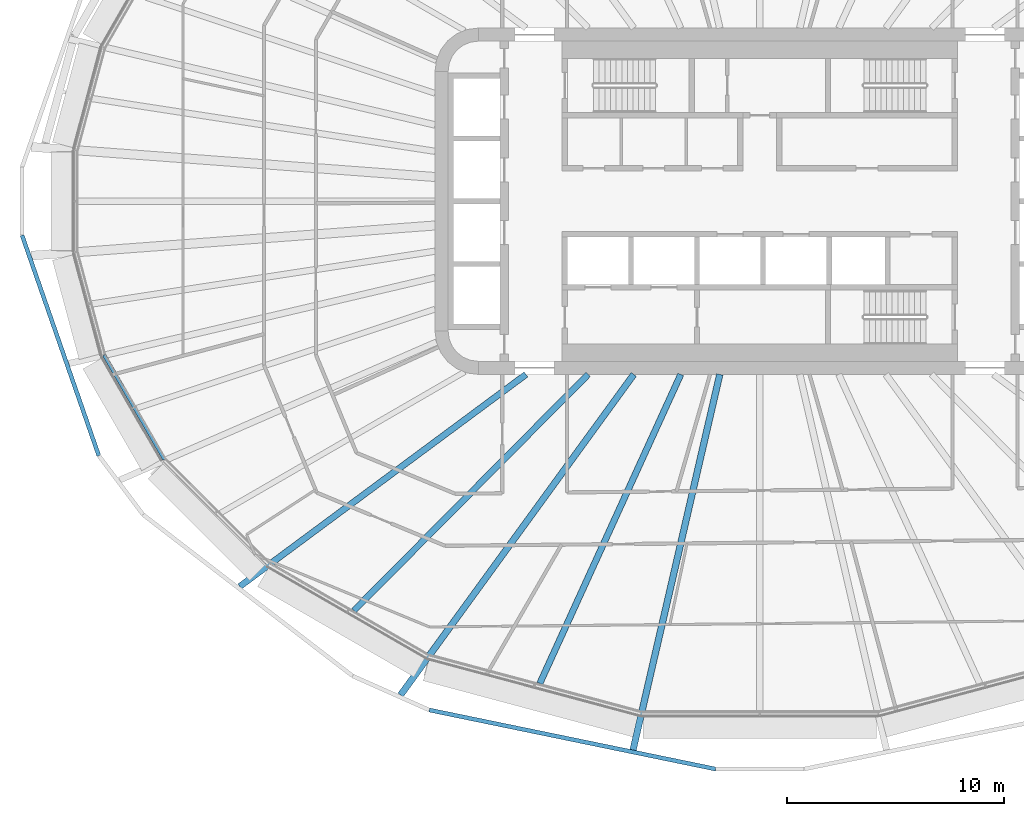
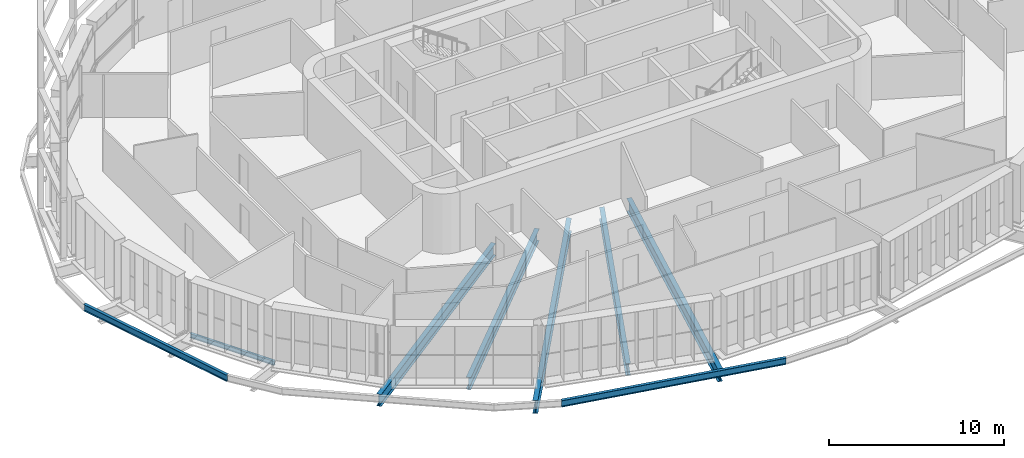
# One storey, part 2 of 26: 8 beams.
"""IFC4 building model written with IfcOpenShell, lengths in metres."""

from ifc_helpers import new_model, si_unit, direction, frame, origin, origin_2d, place, context, subcontext, project, spatial, i_section, extrude, material, material_profile, profile_set, type_object, element, save


model = new_model("IFC4")

# Units and contexts
model_context = context("Model", 3, precision=1e-05, world=origin(), true_north=direction((0.0, 1.0)))
body_context = subcontext(model_context, "Body", "Model", "MODEL_VIEW")
ifc_project = project(units=[si_unit("LENGTHUNIT", "METRE"), si_unit("AREAUNIT", "SQUARE_METRE"), si_unit("VOLUMEUNIT", "CUBIC_METRE"), si_unit("PLANEANGLEUNIT", "RADIAN"), si_unit("MASSUNIT", "GRAM", prefix="KILO")], contexts=[model_context])

# Site, building, storey
site_placement = place(None, origin())
site = spatial("IfcSite", under=ifc_project, at=site_placement, CompositionType="ELEMENT")
building_placement = place(site_placement, origin())
building = spatial("IfcBuilding", under=site, at=building_placement, Name="Sahrelin Media Tower", CompositionType="ELEMENT")
storey_placement = place(building_placement, frame((0.0, 0.0, 84.0)))
storey = spatial("IfcBuildingStorey", under=building, at=storey_placement, Name="L15", CompositionType="ELEMENT", Elevation=84.0)

# Beams
ifc_material = material(Name="Steel S355", Category="steel")
ifc_material_profile_1 = material_profile(ifc_material, i_section(OverallWidth=0.1650390625, OverallDepth=0.303466796875, WebThickness=0.006103515625, FlangeThickness=0.01025390625, FilletRadius=0.0087890625, at=origin_2d()), Name="UB 305x165x40")
ifc_profile_set_1 = profile_set([ifc_material_profile_1], Name="Steel S355")
beam_type_1 = type_object("IfcBeamType", Name="Edge beam EB2", PredefinedType="BEAM", material=ifc_profile_set_1)
beam_1_placement = place(storey_placement, frame((-27.500244140625, -11.923095703125, -0.3017578125), z_axis=(-0.499998387408, 0.866026334813, 0.0), x_axis=(-0.866026334813, -0.499998387408, 0.0)))
element("IfcBeam", 1, at=beam_1_placement, inside=storey, type_object=beam_type_1, Name="Edge beam L15-11", PredefinedType="BEAM", context=body_context, shape_type="SweptSolid", body=[
    extrude(i_section(OverallWidth=0.1650390625, OverallDepth=0.303466796875, WebThickness=0.006103515625, FlangeThickness=0.01025390625, FilletRadius=0.0087890625, at=origin_2d()), origin(), (0.0, 0.0, 1.0), 5.5654296875),
])
ifc_material_profile_2 = material_profile(ifc_material, i_section(OverallWidth=0.291748046875, OverallDepth=0.8349609375, WebThickness=0.013916015625, FlangeThickness=0.018798828125, FilletRadius=0.017822265625, at=origin_2d()), Name="UB 838x292x176")
ifc_profile_set_2 = profile_set([ifc_material_profile_2], Name="Steel S355")
beam_type_2 = type_object("IfcBeamType", Name="Radial primary beam PB10", PredefinedType="BEAM", material=ifc_profile_set_2)
beam_2_placement = place(storey_placement, frame((-10.798828125, -8.0, -0.5673828125), z_axis=(-0.803534849175, -0.595257714071, 0.0), x_axis=(0.595257714071, -0.803534849175, 0.0)))
element("IfcBeam", 2, at=beam_2_placement, inside=storey, type_object=beam_type_2, Name="Radial beam L15-16", PredefinedType="BEAM", context=body_context, shape_type="SweptSolid", body=[
    extrude(i_section(OverallWidth=0.291748046875, OverallDepth=0.8349609375, WebThickness=0.013916015625, FlangeThickness=0.018798828125, FilletRadius=0.017822265625, at=origin_2d()), origin(), (0.0, 0.0, 1.0), 16.452880859375),
])
ifc_material_profile_3 = material_profile(ifc_material, i_section(OverallWidth=0.30322265625, OverallDepth=0.903076171875, WebThickness=0.01513671875, FlangeThickness=0.020263671875, FilletRadius=0.01904296875, at=origin_2d()), Name="UB 914x305x201")
ifc_profile_set_3 = profile_set([ifc_material_profile_3], Name="Steel S355")
beam_type_3 = type_object("IfcBeamType", Name="Radial primary beam PB11", PredefinedType="BEAM", material=ifc_profile_set_3)
beam_3_placement = place(storey_placement, frame((-5.8203125, -8.0, -0.6015625), z_axis=(-0.588305671359, -0.808638631928, 0.0), x_axis=(0.808638631928, -0.588305671359, 0.0)))
element("IfcBeam", 3, at=beam_3_placement, inside=storey, type_object=beam_type_3, Name="Radial beam L15-17", PredefinedType="BEAM", context=body_context, shape_type="SweptSolid", body=[
    extrude(i_section(OverallWidth=0.30322265625, OverallDepth=0.903076171875, WebThickness=0.01513671875, FlangeThickness=0.020263671875, FilletRadius=0.01904296875, at=origin_2d()), origin(), (0.0, 0.0, 1.0), 18.310546875),
])
beam_4_placement = place(storey_placement, frame((-1.847900390625, -8.0, -0.6015625), z_axis=(-0.225036807982, -0.974350263023, 0.0), x_axis=(0.974350263023, -0.225036807982, 0.0)))
element("IfcBeam", 4, at=beam_4_placement, inside=storey, type_object=beam_type_3, Name="Radial beam L15-18", PredefinedType="BEAM", context=body_context, shape_type="SweptSolid", body=[
    extrude(i_section(OverallWidth=0.30322265625, OverallDepth=0.903076171875, WebThickness=0.01513671875, FlangeThickness=0.020263671875, FilletRadius=0.01904296875, at=origin_2d()), origin(), (0.0, 0.0, 1.0), 17.7998046875),
])
ifc_material_profile_4 = material_profile(ifc_material, i_section(OverallWidth=0.291748046875, OverallDepth=0.8349609375, WebThickness=0.013916015625, FlangeThickness=0.018798828125, FilletRadius=0.017822265625, at=origin_2d()), Name="UB 838x292x176")
ifc_profile_set_4 = profile_set([ifc_material_profile_4], Name="Steel S355")
beam_type_4 = type_object("IfcBeamType", Name="Radial secondary beam SB10", PredefinedType="BEAM", material=ifc_profile_set_4)
beam_5_placement = place(storey_placement, frame((-7.93115234375, -8.0, -0.5673828125), z_axis=(-0.704056941584, -0.710143522823, 0.0), x_axis=(0.710143522823, -0.704056941584, 0.0)))
element("IfcBeam", 5, at=beam_5_placement, inside=storey, type_object=beam_type_4, Name="Secondary beam L15-16", PredefinedType="BEAM", context=body_context, shape_type="SweptSolid", body=[
    extrude(i_section(OverallWidth=0.291748046875, OverallDepth=0.8349609375, WebThickness=0.013916015625, FlangeThickness=0.018798828125, FilletRadius=0.017822265625, at=origin_2d()), origin(), (0.0, 0.0, 1.0), 15.362548828125),
])
beam_6_placement = place(storey_placement, frame((-3.6494140625, -8.0, -0.5673828125), z_axis=(-0.415038402282, -0.909803893502, 0.0), x_axis=(0.909803893502, -0.415038402282, 0.0)))
element("IfcBeam", 6, at=beam_6_placement, inside=storey, type_object=beam_type_4, Name="Secondary beam L15-17", PredefinedType="BEAM", context=body_context, shape_type="SweptSolid", body=[
    extrude(i_section(OverallWidth=0.291748046875, OverallDepth=0.8349609375, WebThickness=0.013916015625, FlangeThickness=0.018798828125, FilletRadius=0.017822265625, at=origin_2d()), origin(), (0.0, 0.0, 1.0), 15.687744140625),
])
ifc_material_profile_5 = material_profile(ifc_material, i_section(OverallWidth=0.1904296875, OverallDepth=0.45703125, WebThickness=0.009033203125, FlangeThickness=0.014404296875, FilletRadius=0.01025390625, at=origin_2d()), Name="UB 457x191x74")
ifc_profile_set_5 = profile_set([ifc_material_profile_5], Name="Steel S355")
beam_type_5 = type_object("IfcBeamType", Name="Tie chord TC5", PredefinedType="BEAM", material=ifc_profile_set_5)
beam_7_placement = place(storey_placement, frame((-34.074462890625, -1.5703125, -0.37841796875), z_axis=(0.328779674512, -0.944406652681, 0.0), x_axis=(0.944406652681, 0.328779674512, 0.0)))
element("IfcBeam", 7, at=beam_7_placement, inside=storey, type_object=beam_type_5, Name="Tie chord L15-13", PredefinedType="BEAM", context=body_context, shape_type="SweptSolid", body=[
    extrude(i_section(OverallWidth=0.1904296875, OverallDepth=0.45703125, WebThickness=0.009033203125, FlangeThickness=0.014404296875, FilletRadius=0.01025390625, at=origin_2d()), origin(), (0.0, 0.0, 1.0), 10.78271484375),
])
beam_8_placement = place(storey_placement, frame((-15.2705078125, -23.498291015625, -0.37841796875), z_axis=(0.97938622265, -0.201996601169, 0.0), x_axis=(0.201996601169, 0.97938622265, 0.0)))
element("IfcBeam", 8, at=beam_8_placement, inside=storey, type_object=beam_type_5, Name="Tie chord L15-17", PredefinedType="BEAM", context=body_context, shape_type="SweptSolid", body=[
    extrude(i_section(OverallWidth=0.1904296875, OverallDepth=0.45703125, WebThickness=0.009033203125, FlangeThickness=0.014404296875, FilletRadius=0.01025390625, at=origin_2d()), origin(), (0.0, 0.0, 1.0), 13.509033203125),
])

save(model, "model.ifc")
